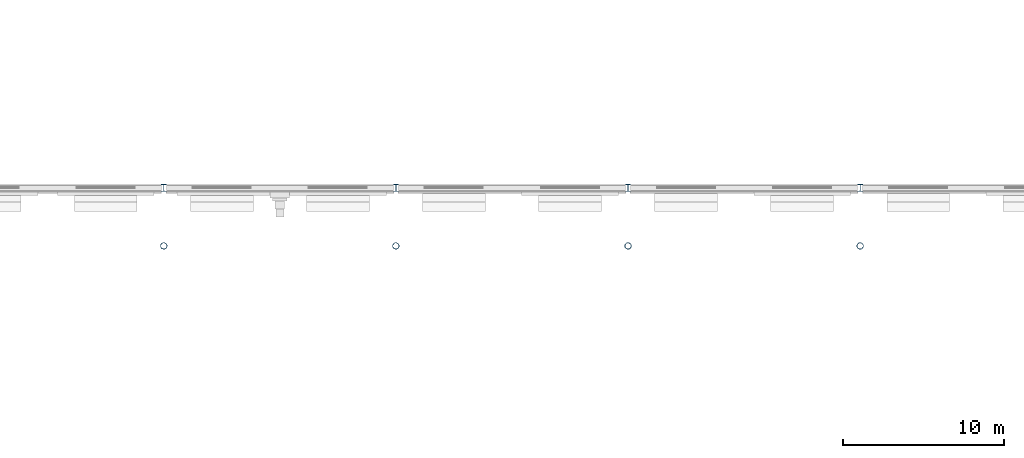
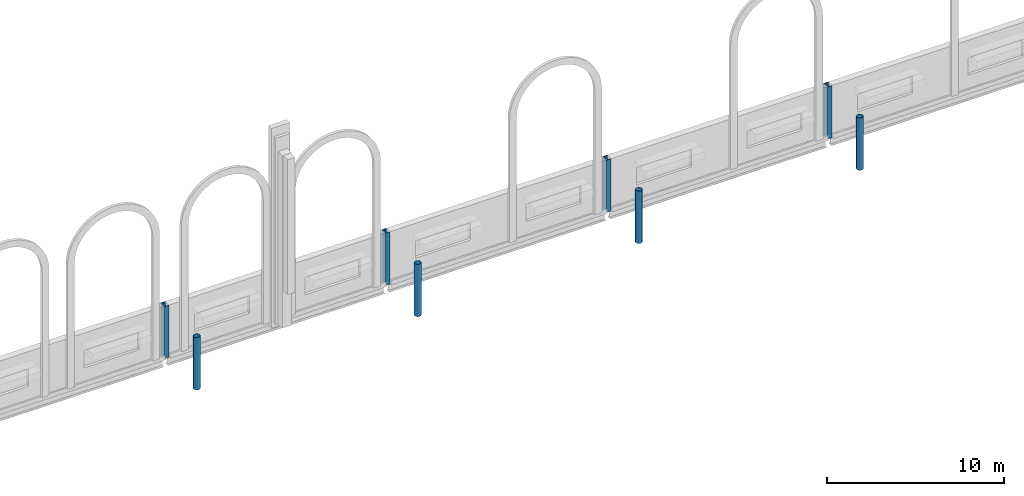
# One storey, part 19 of 143: 8 columns.
"""IFC4 building model written with IfcOpenShell, lengths in metres."""

import ifcopenshell
import ifcopenshell.guid

model = None  # the IFC model being written
_history = None  # IfcOwnerHistory: only IFC2X3 demands one
_inside = {}  # id of a spatial element -> (the spatial element, [elements in it])
_under = {}  # id of a project, library or spatial element -> (it, [spatial elements below it])
_declared = {}  # id of a project -> (the project, [libraries it declares])
_typed = {}  # id of a type object -> (the type object, [elements of that type])
_made_of = {}  # id of a material, layer set ... -> (it, [elements and type objects made of it])


def new_model(schema):
    """Start an empty IFC model of exactly this schema.

    Asked for "IFC4X3", IfcOpenShell would pick the latest addendum, in which some entities
    have other attributes; the version numbers below select the first issue.
    IFC2X3 requires an IfcOwnerHistory on every rooted entity: one is made here for all.
    """
    global model, _history
    if schema == "IFC4X3":
        model = ifcopenshell.file(schema_version=(4, 3, 0, 0))
    else:
        model = ifcopenshell.file(schema=schema)
    _inside.clear()
    _under.clear()
    _declared.clear()
    _typed.clear()
    _made_of.clear()
    _history = None
    if model.schema == "IFC2X3":
        org = make("IfcOrganization", Name="unknown")
        user = make(
            "IfcPersonAndOrganization",
            ThePerson=make("IfcPerson", FamilyName="unknown"),
            TheOrganization=org,
        )
        app = make(
            "IfcApplication",
            ApplicationDeveloper=org,
            Version="unknown",
            ApplicationFullName="unknown",
            ApplicationIdentifier="unknown",
        )
        _history = make(
            "IfcOwnerHistory",
            OwningUser=user,
            OwningApplication=app,
            ChangeAction="ADDED",
            CreationDate=0,
        )
    return model


def make(cls, **values):
    """One entity of the class cls with the attributes given. An attribute that is None is left unset."""
    return model.create_entity(
        cls, **{name: value for name, value in values.items() if value is not None}
    )


def rooted(cls, **values):
    """An entity with a GlobalId (a new one), such as an element, a storey or a relation."""
    return make(cls, GlobalId=ifcopenshell.guid.new(), OwnerHistory=_history, **values)


def si_unit(unit_type, name, prefix=None):
    """IfcSIUnit, for example si_unit("LENGTHUNIT", "METRE", prefix="MILLI")."""
    return make("IfcSIUnit", UnitType=unit_type, Prefix=prefix, Name=name)


def assignment(units):
    """IfcUnitAssignment: the units of a project."""
    return None if units is None else make("IfcUnitAssignment", Units=units)


def point(xyz):
    """IfcCartesianPoint."""
    return None if xyz is None else make("IfcCartesianPoint", Coordinates=xyz)


def direction(xyz):
    """IfcDirection."""
    return None if xyz is None else make("IfcDirection", DirectionRatios=xyz)


def frame(location, z_axis=None, x_axis=None):
    """IfcAxis2Placement3D, a coordinate frame: its origin and axes. An axis left out is left unset."""
    return make(
        "IfcAxis2Placement3D",
        Location=point(location),
        Axis=direction(z_axis),
        RefDirection=direction(x_axis),
    )


def frame_2d(location, x_axis=None):
    """IfcAxis2Placement2D, a coordinate frame in the plane: its origin and x axis."""
    return make(
        "IfcAxis2Placement2D", Location=point(location), RefDirection=direction(x_axis)
    )


def origin():
    """The frame at (0, 0, 0) with its axes left unset."""
    return frame((0.0, 0.0, 0.0))


def origin_2d():
    """The frame at (0, 0) in the plane with its x axis left unset."""
    return frame_2d((0.0, 0.0))


def place(relative_to, where):
    """IfcLocalPlacement: puts the frame where relative to a parent placement (None: the world)."""
    return make(
        "IfcLocalPlacement", PlacementRelTo=relative_to, RelativePlacement=where
    )


def context(
    kind, dimensions, precision=None, world=None, true_north=None, identifier=None
):
    """IfcGeometricRepresentationContext, for example the 3D "Model" context."""
    return make(
        "IfcGeometricRepresentationContext",
        ContextIdentifier=identifier,
        ContextType=kind,
        CoordinateSpaceDimension=dimensions,
        Precision=precision,
        WorldCoordinateSystem=world,
        TrueNorth=true_north,
    )


def subcontext(parent, identifier, kind, view, scale=None):
    """IfcGeometricRepresentationSubContext, for example "Body" below "Model"."""
    return make(
        "IfcGeometricRepresentationSubContext",
        ContextIdentifier=identifier,
        ContextType=kind,
        ParentContext=parent,
        TargetScale=scale,
        TargetView=view,
    )


def project(units=None, contexts=None):
    """IfcProject with its units and contexts."""
    return rooted(
        "IfcProject",
        Name="project",
        RepresentationContexts=contexts,
        UnitsInContext=assignment(units),
    )


def spatial(cls, under=None, at=None, **own):
    """A site, building, storey or space (cls), placed at a placement, below another one or the project."""
    s = rooted(cls, ObjectPlacement=at, **own)
    if under is not None:
        _under.setdefault(under.id(), (under, []))[1].append(s)
    return s


def profile(cls, at=None, kind="AREA", **sizes):
    """A parametric profile (cls). Its sizes go by their IFC names, for example OverallWidth=200.0."""
    return make(cls, ProfileType=kind, Position=at, **sizes)


def hollow_circle(**sizes):
    """IfcCircleHollowProfileDef."""
    return profile("IfcCircleHollowProfileDef", **sizes)


def i_section(**sizes):
    """IfcIShapeProfileDef."""
    return profile("IfcIShapeProfileDef", **sizes)


def extrude(swept, where, along, depth):
    """IfcExtrudedAreaSolid: the profile swept, set in the frame where, extruded along a direction by depth."""
    return make(
        "IfcExtrudedAreaSolid",
        SweptArea=swept,
        Position=where,
        ExtrudedDirection=direction(along),
        Depth=depth,
    )


def shape(context_of_items, identifier, shape_type, items):
    """IfcShapeRepresentation: the items that make up one representation, for example the "Body"."""
    return make(
        "IfcShapeRepresentation",
        ContextOfItems=context_of_items,
        RepresentationIdentifier=identifier,
        RepresentationType=shape_type,
        Items=items,
    )


def material(Name=None, Category=None):
    """IfcMaterial."""
    return make("IfcMaterial", Name=Name, Category=Category)


def material_profile(
    of_material, cross_section, Name=None, Category=None, Priority=None
):
    """IfcMaterialProfile: a cross section and its material."""
    return make(
        "IfcMaterialProfile",
        Name=Name,
        Material=of_material,
        Profile=cross_section,
        Priority=Priority,
        Category=Category,
    )


def profile_set(profiles, Name=None, composite=None):
    """IfcMaterialProfileSet."""
    return make(
        "IfcMaterialProfileSet",
        Name=Name,
        MaterialProfiles=profiles,
        CompositeProfile=composite,
    )


def made_of(thing, what):
    """Note that an element or type object is made of a material, layer set ...; save() writes the relation."""
    if what is not None:
        _made_of.setdefault(what.id(), (what, []))[1].append(thing)
    return thing


def type_object(cls, material=None, **own):
    """A type object (cls), such as IfcWallType, which elements share."""
    return made_of(rooted(cls, **own), material)


def element(
    cls,
    number,
    at=None,
    inside=None,
    cuts=None,
    type_object=None,
    material=None,
    context=None,
    identifier="Body",
    shape_type=None,
    held_by="IfcProductDefinitionShape",
    body=None,
    shapes=None,
    **own,
):
    """One element of the class cls, such as IfcWall. Its Tag is "e" and its number.

    at: its placement. inside: the storey or other place that contains it. cuts: it is an
    opening in that element (IfcRelVoidsElement). A single representation is given by context,
    identifier, shape_type and body (its items); several are given by shapes. held_by: the class
    of the entity that holds the representations. save() writes the other relations.
    """
    e = rooted(cls, Tag="e%d" % number, ObjectPlacement=at, **own)
    if body is not None:
        shapes = [shape(context, identifier, shape_type, body)]
    if shapes is not None:
        e.Representation = make(held_by, Representations=shapes)
    if inside is not None:
        _inside.setdefault(inside.id(), (inside, []))[1].append(e)
    if cuts is not None:
        rooted(
            "IfcRelVoidsElement", RelatingBuildingElement=cuts, RelatedOpeningElement=e
        )
    if type_object is not None:
        _typed.setdefault(type_object.id(), (type_object, []))[1].append(e)
    return made_of(e, material)


def aggregate(whole, parts):
    """IfcRelAggregates: a whole, such as a stair, and the parts it consists of."""
    return rooted("IfcRelAggregates", RelatingObject=whole, RelatedObjects=parts)


def save(model, path):
    """Write the relations noted so far, then the file.

    IfcRelAggregates (storeys below a building ...), IfcRelContainedInSpatialStructure (elements
    in a storey), IfcRelDefinesByType, IfcRelAssociatesMaterial and IfcRelDeclares: one each for
    every whole, place, type object, material and project.
    """
    for whole, parts in _under.values():
        aggregate(whole, parts)
    for where, things in _inside.values():
        rooted(
            "IfcRelContainedInSpatialStructure",
            RelatedElements=things,
            RelatingStructure=where,
        )
    for kind, things in _typed.values():
        rooted("IfcRelDefinesByType", RelatedObjects=things, RelatingType=kind)
    for what, things in _made_of.values():
        rooted("IfcRelAssociatesMaterial", RelatedObjects=things, RelatingMaterial=what)
    for by, libraries in _declared.values():
        rooted("IfcRelDeclares", RelatingContext=by, RelatedDefinitions=libraries)
    model.write(path)


model = new_model("IFC4")

# Units and contexts
model_context = context("Model", 3, precision=1e-05, world=origin(), true_north=direction((0.0, 1.0)))
body_context = subcontext(model_context, "Body", "Model", "MODEL_VIEW")
ifc_project = project(units=[si_unit("LENGTHUNIT", "METRE"), si_unit("AREAUNIT", "SQUARE_METRE"), si_unit("VOLUMEUNIT", "CUBIC_METRE"), si_unit("PLANEANGLEUNIT", "RADIAN"), si_unit("MASSUNIT", "GRAM", prefix="KILO")], contexts=[model_context])

# Site, building, storey
site_placement = place(None, origin())
site = spatial("IfcSite", under=ifc_project, at=site_placement, CompositionType="ELEMENT")
building_placement = place(site_placement, origin())
building = spatial("IfcBuilding", under=site, at=building_placement, Name="Kupolbacken Congress Centre", CompositionType="ELEMENT")
storey_placement = place(building_placement, frame((0.0, 0.0, 7.199951171875)))
storey = spatial("IfcBuildingStorey", under=building, at=storey_placement, Name="L02", CompositionType="ELEMENT", Elevation=7.199951171875)

# Columns
ifc_material_1 = material(Name="Steel S355", Category="steel")
ifc_material_profile_1 = material_profile(ifc_material_1, i_section(OverallWidth=0.300048828125, OverallDepth=0.43994140625, WebThickness=0.011474609375, FlangeThickness=0.02099609375, FilletRadius=0.027099609375, at=origin_2d()), Name="HEA 450")
ifc_profile_set_1 = profile_set([ifc_material_profile_1], Name="Steel S355")
column_type_1 = type_object("IfcColumnType", Name="C07 column HEA 450", PredefinedType="COLUMN", material=ifc_profile_set_1)
for number, where, z_axis, x_axis, name in (
    (1, (136.800048828125, 43.199951171875, 0.0), (0.0, 0.0, 1.0), (1.0, 0.0, 0.0), "S/col/C-H-T4S/L02"),
    (2, (151.199951171875, 43.199951171875, 0.0), (0.0, 0.0, 1.0), (1.0, 0.0, 0.0), "S/col/C-H-T5S/L02"),
    (3, (165.60009765625, 43.199951171875, 0.0), (0.0, 0.0, 1.0), (1.0, 0.0, 0.0), "S/col/C-H-T6S/L02"),
    (4, (180.0, 43.199951171875, 0.0), (0.0, 0.0, 1.0), (1.0, 0.0, 0.0), "S/col/C-H-T7S/L02"),
):
    element("IfcColumn", number, at=place(storey_placement, frame(where, z_axis=z_axis, x_axis=x_axis)), inside=storey, type_object=column_type_1, Name=name, PredefinedType="COLUMN", context=body_context, shape_type="SweptSolid", body=[
        extrude(i_section(OverallWidth=0.300048828125, OverallDepth=0.43994140625, WebThickness=0.011474609375, FlangeThickness=0.02099609375, FilletRadius=0.027099609375, at=origin_2d()), origin(), (0.0, 0.0, 1.0), 3.60009765625),
    ])
ifc_material_2 = material(Name="Steel S355", Category="steel")
ifc_material_profile_2 = material_profile(ifc_material_2, hollow_circle(Radius=0.203125, WallThickness=0.01611328125, at=origin_2d()), Name="CHS 406.4 x 16")
ifc_profile_set_2 = profile_set([ifc_material_profile_2], Name="Steel S355")
column_type_2 = type_object("IfcColumnType", Name="C15 roof mast CHS 406.4 x 16", PredefinedType="COLUMN", material=ifc_profile_set_2)
for number, where, z_axis, x_axis, name in (
    (5, (136.800048828125, 39.60009765625, 0.0), (0.0, 0.0, 1.0), (1.0, 0.0, 0.0), "Roof mast M4S"),
    (6, (151.199951171875, 39.60009765625, 0.0), (0.0, 0.0, 1.0), (1.0, 0.0, 0.0), "Roof mast M5S"),
    (7, (165.60009765625, 39.60009765625, 0.0), (0.0, 0.0, 1.0), (1.0, 0.0, 0.0), "Roof mast M6S"),
    (8, (180.0, 39.60009765625, 0.0), (0.0, 0.0, 1.0), (1.0, 0.0, 0.0), "Roof mast M7S"),
):
    element("IfcColumn", number, at=place(storey_placement, frame(where, z_axis=z_axis, x_axis=x_axis)), inside=storey, type_object=column_type_2, Name=name, PredefinedType="COLUMN", context=body_context, shape_type="SweptSolid", body=[
        extrude(hollow_circle(Radius=0.203125, WallThickness=0.01611328125, at=origin_2d()), origin(), (0.0, 0.0, 1.0), 3.60009765625),
    ])

save(model, "model.ifc")
